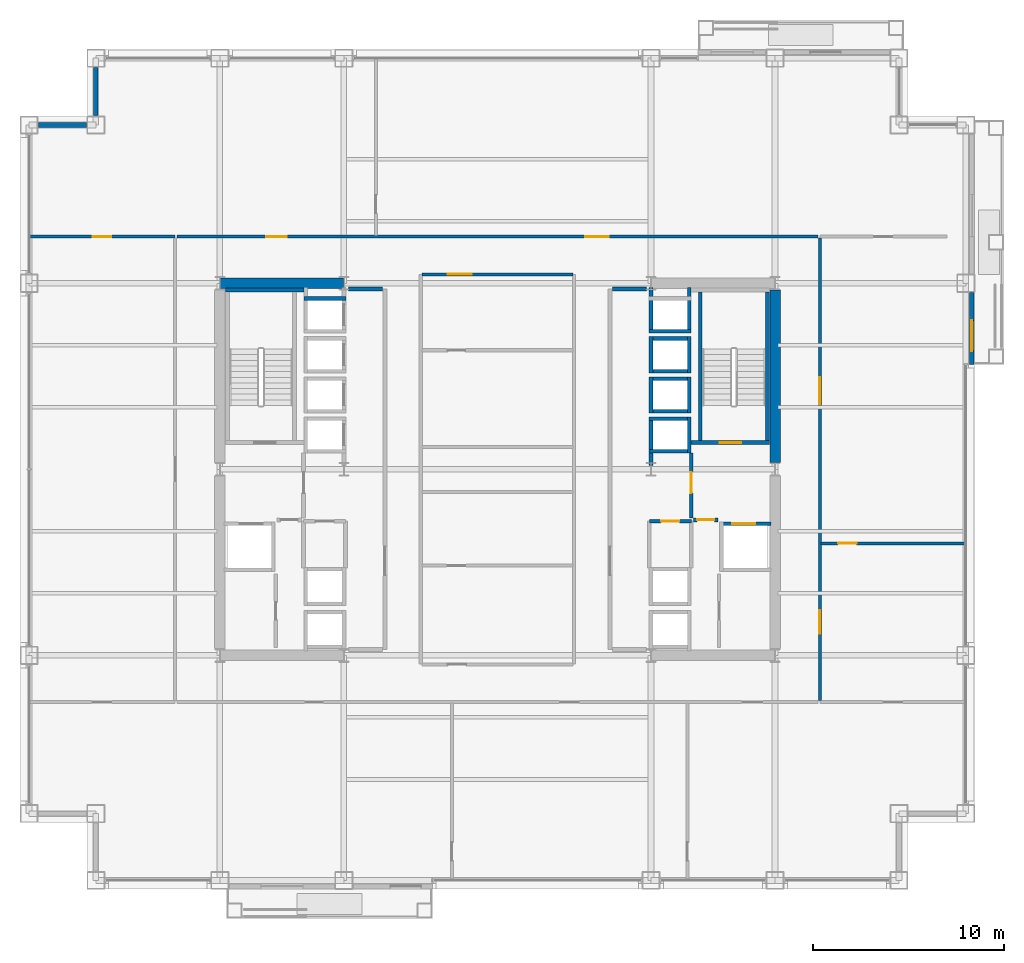
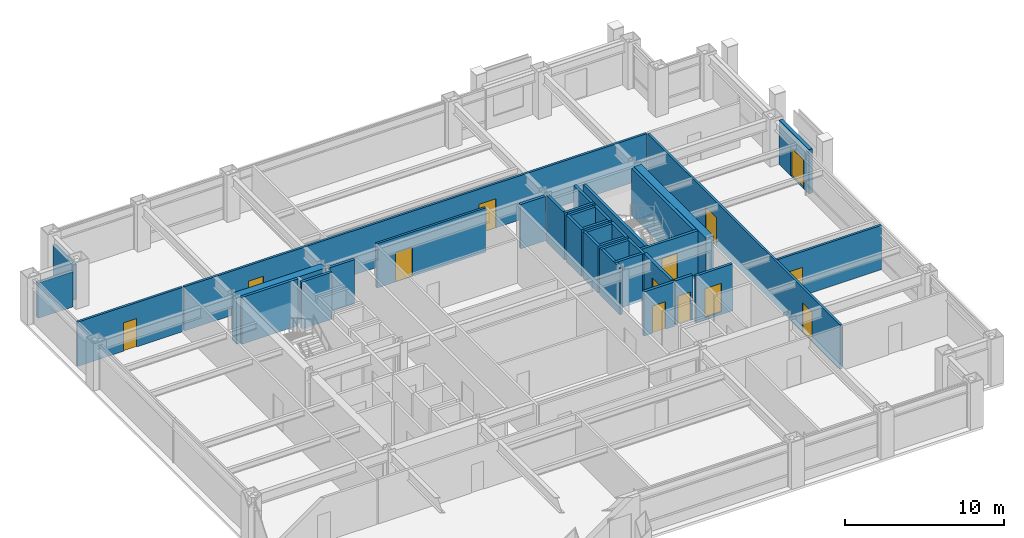
# One storey, part 27 of 31: 36 walls, 13 doors, 13 openings.
"""IFC4 building model written with IfcOpenShell, lengths in metres."""

from ifc_helpers import new_model, si_unit, direction, frame, frame_2d, origin, place, context, subcontext, project, spatial, rectangle, extrude, material, layer, layer_set, type_object, element, fill, save


model = new_model("IFC4")

# Units and contexts
model_context = context("Model", 3, precision=1e-05, world=origin(), true_north=direction((0.0, 1.0)))
body_context = subcontext(model_context, "Body", "Model", "MODEL_VIEW")
ifc_project = project(units=[si_unit("LENGTHUNIT", "METRE"), si_unit("AREAUNIT", "SQUARE_METRE"), si_unit("VOLUMEUNIT", "CUBIC_METRE"), si_unit("PLANEANGLEUNIT", "RADIAN"), si_unit("MASSUNIT", "GRAM", prefix="KILO")], contexts=[model_context])

# Site, building, storey
site_placement = place(None, origin())
site = spatial("IfcSite", under=ifc_project, at=site_placement, CompositionType="ELEMENT")
building_placement = place(site_placement, origin())
building = spatial("IfcBuilding", under=site, at=building_placement, Name="Brelmoor Portico Tower", CompositionType="ELEMENT")
storey_placement = place(building_placement, frame((0.0, 0.0, 31.199951171875)))
storey = spatial("IfcBuildingStorey", under=building, at=storey_placement, Name="L07", CompositionType="ELEMENT", Elevation=31.199951171875)

# Walls
ifc_material_1 = material(Name="Concrete C60", Category="concrete")
ifc_layer_1 = layer(ifc_material_1, 0.550048828125)
ifc_layer_set_1 = layer_set([ifc_layer_1], Name="Concrete C60")
wall_type_1 = type_object("IfcWallType", Name="WL-CORE-550", PredefinedType="SHEAR", material=ifc_layer_set_1)
wall_1_placement = place(storey_placement, frame((-14.530029296875, 9.75, -0.199951171875), z_axis=(0.0, 0.0, 1.0), x_axis=(1.0, 0.0, 0.0)))
element("IfcWall", 1, at=wall_1_placement, inside=storey, type_object=wall_type_1, Name="L07 WC North Shear Wall", PredefinedType="SHEAR", context=body_context, shape_type="SweptSolid", body=[
    extrude(rectangle(XDim=6.4599609375, YDim=0.550048828125, at=frame_2d((3.22998046875, 0.0))), origin(), (0.0, 0.0, 1.0), 3.60009765625),
])
wall_2_placement = place(storey_placement, frame((14.550048828125, 0.35009765625, -0.199951171875), z_axis=(0.0, 0.0, 1.0), x_axis=(0.0, 1.0, 0.0)))
element("IfcWall", 2, at=wall_2_placement, inside=storey, type_object=wall_type_1, Name="L07 EC Outer North Shear Wall", PredefinedType="SHEAR", context=body_context, shape_type="SweptSolid", body=[
    extrude(rectangle(XDim=9.0498046875, YDim=0.550048828125, at=frame_2d((4.52490234375, 0.0))), origin(), (0.0, 0.0, 1.0), 3.60009765625),
])

# Wall, opening, door
ifc_material_2 = material(Name="Precast Concrete C40 Insulated Facade Wall", Category="concrete")
ifc_layer_2 = layer(ifc_material_2, 0.25)
ifc_layer_set_2 = layer_set([ifc_layer_2], Name="Precast Concrete C40 Insulated Facade Wall")
wall_type_2 = type_object("IfcWallType", Name="WL-EXT-250", PredefinedType="STANDARD", material=ifc_layer_set_2)
wall_3_placement = place(storey_placement, frame((24.860107421875, 5.5, 0.0), z_axis=(0.0, 0.0, 1.0), x_axis=(0.0, 1.0, 0.0)))
wall_3 = element("IfcWall", 3, at=wall_3_placement, inside=storey, type_object=wall_type_2, Name="L07 Loggia Threshold Wall E-1", PredefinedType="STANDARD", context=body_context, shape_type="SweptSolid", body=[
    extrude(rectangle(XDim=3.7548828125, YDim=0.25, at=frame_2d((1.87744140625, 0.0))), origin(), (0.0, 0.0, 1.0), 3.400146484375),
])
opening_1_placement = place(wall_3_placement, frame((0.699951171875, 0.0, 0.0)))
opening_1 = element("IfcOpeningElement", 4, at=opening_1_placement, cuts=wall_3, Name="Opening D-TB1", PredefinedType="OPENING", context=body_context, shape_type="SweptSolid", body=[
    extrude(rectangle(XDim=1.60009765625, YDim=2.199951171875, at=frame_2d((0.800048828125, 1.10009765625))), frame((0.0, 0.135009765625, 0.0), z_axis=(0.0, -1.0, 0.0), x_axis=(1.0, 0.0, 0.0)), (0.0, 0.0, 1.0), 0.27001953125),
])
ifc_material_3 = material(Name="Double-Leaf Thermally Broken Terrace Door", Category="aluminium")
door_type_1 = type_object("IfcDoorType", Name="DR-BALCONY-1600", OperationType="NOTDEFINED", PredefinedType="DOOR", material=ifc_material_3)
door_1_placement = place(opening_1_placement, origin())
door_1 = element("IfcDoor", 5, at=door_1_placement, inside=storey, type_object=door_type_1, Name="D-0335 L07 Tree Balcony Double Door E", OperationType="DOUBLE_DOOR_SINGLE_SWING", OverallHeight=2.199951171875, OverallWidth=1.60009765625, PredefinedType="DOOR", context=body_context, shape_type="SweptSolid", body=[
    extrude(rectangle(XDim=1.60009765625, YDim=2.199951171875, at=frame_2d((0.800048828125, 1.10009765625))), frame((0.0, 0.02490234375, 0.0), z_axis=(0.0, -1.0, 0.0), x_axis=(1.0, 0.0, 0.0)), (0.0, 0.0, 1.0), 0.050048828125),
])
fill(opening_1, door_1)

# Walls
for number, where, z_axis, x_axis, name in (
    (6, (-24.06494140625, 18.050048828125, 0.0), (0.0, 0.0, 1.0), (1.0, 0.0, 0.0), "L07 Corner Notch Facade Wall NNWH1"),
    (7, (-21.050048828125, 18.534912109375, 0.0), (0.0, 0.0, 1.0), (0.0, 1.0, 0.0), "L07 Corner Notch Facade Wall NNWV1"),
):
    element("IfcWall", number, at=place(storey_placement, frame(where, z_axis=z_axis, x_axis=x_axis)), inside=storey, type_object=wall_type_2, Name=name, PredefinedType="STANDARD", context=body_context, shape_type="SweptSolid", body=[
        extrude(rectangle(XDim=2.530029296875, YDim=0.25, at=frame_2d((1.26513671875, 0.0))), origin(), (0.0, 0.0, 1.0), 2.699951171875),
    ])

# Wall, opening, door
ifc_material_4 = material(Name="Twin-Frame Acoustic Partition", Category="gypsum")
ifc_layer_3 = layer(ifc_material_4, 0.159912109375)
ifc_layer_set_3 = layer_set([ifc_layer_3], Name="Twin-Frame Acoustic Partition")
wall_type_3 = type_object("IfcWallType", Name="WL-PART-160", PredefinedType="PARTITIONING", material=ifc_layer_set_3)
wall_4_placement = place(storey_placement, frame((-3.949951171875, 10.219970703125, 0.0), z_axis=(0.0, 0.0, 1.0), x_axis=(1.0, 0.0, 0.0)))
wall_4 = element("IfcWall", 8, at=wall_4_placement, inside=storey, type_object=wall_type_3, Name="L07 Central Meeting Corridor Wall", PredefinedType="PARTITIONING", context=body_context, shape_type="SweptSolid", body=[
    extrude(rectangle(XDim=7.89990234375, YDim=0.159912109375, at=frame_2d((3.949951171875, 0.0))), origin(), (0.0, 0.0, 1.0), 3.400146484375),
])
opening_2_placement = place(wall_4_placement, frame((1.35009765625, 0.0, 0.0)))
opening_2 = element("IfcOpeningElement", 9, at=opening_2_placement, cuts=wall_4, Name="Opening D-SU1", PredefinedType="OPENING", context=body_context, shape_type="SweptSolid", body=[
    extrude(rectangle(XDim=1.239990234375, YDim=2.239990234375, at=frame_2d((0.6201171875, 1.1201171875))), frame((0.0, 0.08984375, 0.0), z_axis=(0.0, -1.0, 0.0), x_axis=(1.0, 0.0, 0.0)), (0.0, 0.0, 1.0), 0.179931640625),
])
ifc_material_5 = material(Name="Glazed Timber Executive Suite Door", Category="wood")
door_type_2 = type_object("IfcDoorType", Name="DR-SUITE-1200", OperationType="NOTDEFINED", PredefinedType="DOOR", material=ifc_material_5)
door_2_placement = place(opening_2_placement, origin())
door_2 = element("IfcDoor", 10, at=door_2_placement, inside=storey, type_object=door_type_2, Name="D-0307 L07 Client Meeting Room Door", OperationType="SINGLE_SWING_RIGHT", OverallHeight=2.239990234375, OverallWidth=1.239990234375, PredefinedType="DOOR", context=body_context, shape_type="SweptSolid", body=[
    extrude(rectangle(XDim=1.239990234375, YDim=2.239990234375, at=frame_2d((0.6201171875, 1.1201171875))), frame((0.0, 0.02490234375, 0.0), z_axis=(0.0, -1.0, 0.0), x_axis=(1.0, 0.0, 0.0)), (0.0, 0.0, 1.0), 0.050048828125),
])
fill(opening_2, door_2)

# Wall, openings, doors
wall_5_placement = place(storey_placement, frame((-16.800048828125, 12.199951171875, 0.0), z_axis=(0.0, 0.0, 1.0), x_axis=(1.0, 0.0, 0.0)))
wall_5 = element("IfcWall", 11, at=wall_5_placement, inside=storey, type_object=wall_type_3, Name="L07 North Corridor Partition", PredefinedType="PARTITIONING", context=body_context, shape_type="SweptSolid", body=[
    extrude(rectangle(XDim=33.60009765625, YDim=0.159912109375, at=frame_2d((16.800048828125, 0.0))), origin(), (0.0, 0.0, 1.0), 3.400146484375),
])
opening_3_placement = place(wall_5_placement, frame((4.684326171875, 0.0, 0.0)))
opening_3 = element("IfcOpeningElement", 12, at=opening_3_placement, cuts=wall_5, Name="Opening D-OF2", PredefinedType="OPENING", context=body_context, shape_type="SweptSolid", body=[
    extrude(rectangle(XDim=1.06005859375, YDim=2.199951171875, at=frame_2d((0.530029296875, 1.10009765625))), frame((0.0, 0.08984375, 0.0), z_axis=(0.0, -1.0, 0.0), x_axis=(1.0, 0.0, 0.0)), (0.0, 0.0, 1.0), 0.179931640625),
])
opening_4_placement = place(wall_5_placement, frame((21.394287109375, 0.0, 0.0)))
opening_4 = element("IfcOpeningElement", 13, at=opening_4_placement, cuts=wall_5, Name="Opening D-SU1", PredefinedType="OPENING", context=body_context, shape_type="SweptSolid", body=[
    extrude(rectangle(XDim=1.239990234375, YDim=2.239990234375, at=frame_2d((0.6201171875, 1.1201171875))), frame((0.0, 0.08984375, 0.0), z_axis=(0.0, -1.0, 0.0), x_axis=(1.0, 0.0, 0.0)), (0.0, 0.0, 1.0), 0.179931640625),
])
ifc_material_6 = material(Name="Hardwood Acoustic Veneer Door", Category="wood")
door_type_3 = type_object("IfcDoorType", Name="DR-OFFICE-1050", OperationType="NOTDEFINED", PredefinedType="DOOR", material=ifc_material_6)
door_3_placement = place(opening_3_placement, origin())
door_3 = element("IfcDoor", 14, at=door_3_placement, inside=storey, type_object=door_type_3, Name="D-0321 L07 North Open-Plan Office Studio 1 Door", OperationType="SINGLE_SWING_LEFT", OverallHeight=2.199951171875, OverallWidth=1.06005859375, PredefinedType="DOOR", context=body_context, shape_type="SweptSolid", body=[
    extrude(rectangle(XDim=1.06005859375, YDim=2.199951171875, at=frame_2d((0.530029296875, 1.10009765625))), frame((0.0, 0.02490234375, 0.0), z_axis=(0.0, -1.0, 0.0), x_axis=(1.0, 0.0, 0.0)), (0.0, 0.0, 1.0), 0.050048828125),
])
fill(opening_3, door_3)
door_4_placement = place(opening_4_placement, origin())
door_4 = element("IfcDoor", 15, at=door_4_placement, inside=storey, type_object=door_type_2, Name="D-0322 L07 North Partner Cellular Office 2 Door", OperationType="SINGLE_SWING_RIGHT", OverallHeight=2.239990234375, OverallWidth=1.239990234375, PredefinedType="DOOR", context=body_context, shape_type="SweptSolid", body=[
    extrude(rectangle(XDim=1.239990234375, YDim=2.239990234375, at=frame_2d((0.6201171875, 1.1201171875))), frame((0.0, 0.02490234375, 0.0), z_axis=(0.0, -1.0, 0.0), x_axis=(1.0, 0.0, 0.0)), (0.0, 0.0, 1.0), 0.050048828125),
])
fill(opening_4, door_4)

# Wall, opening, door
wall_6_placement = place(storey_placement, frame((-24.56005859375, 12.199951171875, 0.0), z_axis=(0.0, 0.0, 1.0), x_axis=(1.0, 0.0, 0.0)))
wall_6 = element("IfcWall", 16, at=wall_6_placement, inside=storey, type_object=wall_type_3, Name="L07 North Outer Closure WL", PredefinedType="PARTITIONING", context=body_context, shape_type="SweptSolid", body=[
    extrude(rectangle(XDim=7.66015625, YDim=0.159912109375, at=frame_2d((3.830078125, 0.0))), origin(), (0.0, 0.0, 1.0), 3.400146484375),
])
opening_5_placement = place(wall_6_placement, frame((3.35009765625, 0.0, 0.0)))
opening_5 = element("IfcOpeningElement", 17, at=opening_5_placement, cuts=wall_6, Name="Opening D-IN2", PredefinedType="OPENING", context=body_context, shape_type="SweptSolid", body=[
    extrude(rectangle(XDim=0.9599609375, YDim=2.179931640625, at=frame_2d((0.47998046875, 1.08984375))), frame((0.0, 0.08984375, 0.0), z_axis=(0.0, -1.0, 0.0), x_axis=(1.0, 0.0, 0.0)), (0.0, 0.0, 1.0), 0.179931640625),
])
ifc_material_7 = material(Name="Lacquered Timber Suite Door", Category="wood")
door_type_4 = type_object("IfcDoorType", Name="DR-INT-950", OperationType="NOTDEFINED", PredefinedType="DOOR", material=ifc_material_7)
door_5_placement = place(opening_5_placement, origin())
door_5 = element("IfcDoor", 18, at=door_5_placement, inside=storey, type_object=door_type_4, Name="D-0325 L07 WL North Corner Suite Door", OperationType="SINGLE_SWING_LEFT", OverallHeight=2.179931640625, OverallWidth=0.9599609375, PredefinedType="DOOR", context=body_context, shape_type="SweptSolid", body=[
    extrude(rectangle(XDim=0.9599609375, YDim=2.179931640625, at=frame_2d((0.47998046875, 1.08984375))), frame((0.0, 0.02490234375, 0.0), z_axis=(0.0, -1.0, 0.0), x_axis=(1.0, 0.0, 0.0)), (0.0, 0.0, 1.0), 0.050048828125),
])
fill(opening_5, door_5)

wall_7_placement = place(storey_placement, frame((16.9599609375, -3.87841796875, 0.0), z_axis=(0.0, 0.0, 1.0), x_axis=(1.0, 0.0, 0.0)))
wall_7 = element("IfcWall", 19, at=wall_7_placement, inside=storey, type_object=wall_type_3, Name="L07 E Wing Partition 1", PredefinedType="PARTITIONING", context=body_context, shape_type="SweptSolid", body=[
    extrude(rectangle(XDim=7.60009765625, YDim=0.159912109375, at=frame_2d((3.800048828125, 0.0))), origin(), (0.0, 0.0, 1.0), 3.400146484375),
])
opening_6_placement = place(wall_7_placement, frame((0.89990234375, 0.0, 0.0)))
opening_6 = element("IfcOpeningElement", 20, at=opening_6_placement, cuts=wall_7, Name="Opening D-IN2", PredefinedType="OPENING", context=body_context, shape_type="SweptSolid", body=[
    extrude(rectangle(XDim=0.9599609375, YDim=2.179931640625, at=frame_2d((0.47998046875, 1.08984375))), frame((0.0, 0.08984375, 0.0), z_axis=(0.0, -1.0, 0.0), x_axis=(1.0, 0.0, 0.0)), (0.0, 0.0, 1.0), 0.179931640625),
])
door_6_placement = place(opening_6_placement, origin())
door_6 = element("IfcDoor", 21, at=door_6_placement, inside=storey, type_object=door_type_4, Name="D-0340 L07 E Wing Suite Connecting Door 1", OperationType="SINGLE_SWING_LEFT", OverallHeight=2.179931640625, OverallWidth=0.9599609375, PredefinedType="DOOR", context=body_context, shape_type="SweptSolid", body=[
    extrude(rectangle(XDim=0.9599609375, YDim=2.179931640625, at=frame_2d((0.47998046875, 1.08984375))), frame((0.0, 0.02490234375, 0.0), z_axis=(0.0, -1.0, 0.0), x_axis=(1.0, 0.0, 0.0)), (0.0, 0.0, 1.0), 0.050048828125),
])
fill(opening_6, door_6)

# Wall, openings, doors
wall_8_placement = place(storey_placement, frame((16.89990234375, -12.1201171875, 0.0), z_axis=(0.0, 0.0, 1.0), x_axis=(0.0, 1.0, 0.0)))
wall_8 = element("IfcWall", 22, at=wall_8_placement, inside=storey, type_object=wall_type_3, Name="L07 E Wing Corridor Wall", PredefinedType="PARTITIONING", context=body_context, shape_type="SweptSolid", body=[
    extrude(rectangle(XDim=24.240234375, YDim=0.159912109375, at=frame_2d((12.1201171875, 0.0))), origin(), (0.0, 0.0, 1.0), 3.400146484375),
])
opening_7_placement = place(wall_8_placement, frame((3.500732421875, 0.0, 0.0)))
opening_7 = element("IfcOpeningElement", 23, at=opening_7_placement, cuts=wall_8, Name="Opening D-SU1", PredefinedType="OPENING", context=body_context, shape_type="SweptSolid", body=[
    extrude(rectangle(XDim=1.239990234375, YDim=2.239990234375, at=frame_2d((0.6201171875, 1.1201171875))), frame((0.0, 0.08984375, 0.0), z_axis=(0.0, -1.0, 0.0), x_axis=(1.0, 0.0, 0.0)), (0.0, 0.0, 1.0), 0.179931640625),
])
opening_8_placement = place(wall_8_placement, frame((15.540771484375, 0.0, 0.0)))
opening_8 = element("IfcOpeningElement", 24, at=opening_8_placement, cuts=wall_8, Name="Opening D-SU2", PredefinedType="OPENING", context=body_context, shape_type="SweptSolid", body=[
    extrude(rectangle(XDim=1.39990234375, YDim=2.199951171875, at=frame_2d((0.699951171875, 1.10009765625))), frame((0.0, 0.08984375, 0.0), z_axis=(0.0, -1.0, 0.0), x_axis=(1.0, 0.0, 0.0)), (0.0, 0.0, 1.0), 0.179931640625),
])
door_7_placement = place(opening_7_placement, origin())
door_7 = element("IfcDoor", 25, at=door_7_placement, inside=storey, type_object=door_type_2, Name="D-0338 L07 E Client Reception Room 1 Door", OperationType="SINGLE_SWING_RIGHT", OverallHeight=2.239990234375, OverallWidth=1.239990234375, PredefinedType="DOOR", context=body_context, shape_type="SweptSolid", body=[
    extrude(rectangle(XDim=1.239990234375, YDim=2.239990234375, at=frame_2d((0.6201171875, 1.1201171875))), frame((0.0, 0.02490234375, 0.0), z_axis=(0.0, -1.0, 0.0), x_axis=(1.0, 0.0, 0.0)), (0.0, 0.0, 1.0), 0.050048828125),
])
fill(opening_7, door_7)
ifc_material_8 = material(Name="Double-Leaf Acoustic Suite Door", Category="timber")
door_type_5 = type_object("IfcDoorType", Name="DR-SUITE-1400", OperationType="NOTDEFINED", PredefinedType="DOOR", material=ifc_material_8)
door_8_placement = place(opening_8_placement, origin())
door_8 = element("IfcDoor", 26, at=door_8_placement, inside=storey, type_object=door_type_5, Name="D-0339 L07 E Technical Archive Store 2 Door", OperationType="DOUBLE_DOOR_SINGLE_SWING", OverallHeight=2.199951171875, OverallWidth=1.39990234375, PredefinedType="DOOR", context=body_context, shape_type="SweptSolid", body=[
    extrude(rectangle(XDim=1.39990234375, YDim=2.199951171875, at=frame_2d((0.699951171875, 1.10009765625))), frame((0.0, 0.02490234375, 0.0), z_axis=(0.0, -1.0, 0.0), x_axis=(1.0, 0.0, 0.0)), (0.0, 0.0, 1.0), 0.050048828125),
])
fill(opening_8, door_8)

# Walls
ifc_material_9 = material(Name="Double-Stud Gypsum Fire Partition", Category="gypsum")
ifc_layer_4 = layer(ifc_material_9, 0.199951171875)
ifc_layer_set_4 = layer_set([ifc_layer_4], Name="Double-Stud Gypsum Fire Partition")
wall_type_4 = type_object("IfcWallType", Name="WL-PART-200", PredefinedType="PARTITIONING", material=ifc_layer_set_4)
for number, where, z_axis, x_axis, name in (
    (27, (-6.02001953125, 9.449951171875, 0.0), (0.0, 0.0, 1.0), (-1.0, 0.0, 0.0), "L07 W Lift Lobby North End Wall"),
    (28, (6.02001953125, 9.449951171875, 0.0), (0.0, 0.0, 1.0), (1.0, 0.0, 0.0), "L07 E Lift Lobby North End Wall"),
):
    element("IfcWall", number, at=place(storey_placement, frame(where, z_axis=z_axis, x_axis=x_axis)), inside=storey, type_object=wall_type_4, Name=name, PredefinedType="PARTITIONING", context=body_context, shape_type="SweptSolid", body=[
        extrude(rectangle(XDim=1.800048828125, YDim=0.199951171875, at=frame_2d((0.89990234375, 0.0))), origin(), (0.0, 0.0, 1.0), 3.400146484375),
    ])

# Wall, opening, door
wall_9_placement = place(storey_placement, frame((10.159912109375, -2.550048828125, 0.0), z_axis=(0.0, 0.0, 1.0), x_axis=(0.0, 1.0, 0.0)))
wall_9 = element("IfcWall", 29, at=wall_9_placement, inside=storey, type_object=wall_type_4, Name="L07 E Firefighting Lobby Wall", PredefinedType="PARTITIONING", context=body_context, shape_type="SweptSolid", body=[
    extrude(rectangle(XDim=3.400146484375, YDim=0.199951171875, at=frame_2d((1.7001953125, 0.0))), origin(), (0.0, 0.0, 1.0), 3.400146484375),
])
opening_9_placement = place(wall_9_placement, frame((1.300048828125, 0.0, 0.0)))
opening_9 = element("IfcOpeningElement", 30, at=opening_9_placement, cuts=wall_9, Name="Opening D-FR1", PredefinedType="OPENING", context=body_context, shape_type="SweptSolid", body=[
    extrude(rectangle(XDim=1.10009765625, YDim=2.14990234375, at=frame_2d((0.550048828125, 1.074951171875))), frame((0.0, 0.10986328125, 0.0), z_axis=(0.0, -1.0, 0.0), x_axis=(1.0, 0.0, 0.0)), (0.0, 0.0, 1.0), 0.219970703125),
])
ifc_material_10 = material(Name="Painted Galvanised Steel Fire Door", Category="steel")
door_type_6 = type_object("IfcDoorType", Name="DR-FIRE-1100", OperationType="NOTDEFINED", PredefinedType="DOOR", material=ifc_material_10)
door_9_placement = place(opening_9_placement, origin())
door_9 = element("IfcDoor", 31, at=door_9_placement, inside=storey, type_object=door_type_6, Name="D-0317 L07 E Firefighting Lobby Door", OperationType="SINGLE_SWING_RIGHT", OverallHeight=2.14990234375, OverallWidth=1.10009765625, PredefinedType="DOOR", context=body_context, shape_type="SweptSolid", body=[
    extrude(rectangle(XDim=1.10009765625, YDim=2.14990234375, at=frame_2d((0.550048828125, 1.074951171875))), frame((0.0, 0.02490234375, 0.0), z_axis=(0.0, -1.0, 0.0), x_axis=(1.0, 0.0, 0.0)), (0.0, 0.0, 1.0), 0.050048828125),
])
fill(opening_9, door_9)

wall_10_placement = place(storey_placement, frame((10.280029296875, -2.64990234375, 0.0), z_axis=(0.0, 0.0, 1.0), x_axis=(1.0, 0.0, 0.0)))
wall_10 = element("IfcWall", 32, at=wall_10_placement, inside=storey, type_object=wall_type_4, Name="L07 E Firefighting Lobby South Wall", PredefinedType="PARTITIONING", context=body_context, shape_type="SweptSolid", body=[
    extrude(rectangle(XDim=1.27001953125, YDim=0.199951171875, at=frame_2d((0.635009765625, 0.0))), origin(), (0.0, 0.0, 1.0), 3.400146484375),
])
opening_10_placement = place(wall_10_placement, frame((0.18505859375, 0.0, 0.0)))
opening_10 = element("IfcOpeningElement", 33, at=opening_10_placement, cuts=wall_10, Name="Opening D-IN1", PredefinedType="OPENING", context=body_context, shape_type="SweptSolid", body=[
    extrude(rectangle(XDim=0.89990234375, YDim=2.14990234375, at=frame_2d((0.449951171875, 1.074951171875))), frame((0.0, 0.10986328125, 0.0), z_axis=(0.0, -1.0, 0.0), x_axis=(1.0, 0.0, 0.0)), (0.0, 0.0, 1.0), 0.219970703125),
])
door_type_7 = type_object("IfcDoorType", Name="DR-INT-900", OperationType="NOTDEFINED", PredefinedType="DOOR", material=ifc_material_7)
door_10_placement = place(opening_10_placement, origin())
door_10 = element("IfcDoor", 34, at=door_10_placement, inside=storey, type_object=door_type_7, Name="D-0312 L07 E Core Service Vestibule Door", OperationType="SINGLE_SWING_LEFT", OverallHeight=2.14990234375, OverallWidth=0.89990234375, PredefinedType="DOOR", context=body_context, shape_type="SweptSolid", body=[
    extrude(rectangle(XDim=0.89990234375, YDim=2.14990234375, at=frame_2d((0.449951171875, 1.074951171875))), frame((0.0, 0.02490234375, 0.0), z_axis=(0.0, -1.0, 0.0), x_axis=(1.0, 0.0, 0.0)), (0.0, 0.0, 1.0), 0.050048828125),
])
fill(opening_10, door_10)

wall_11_placement = place(storey_placement, frame((7.9599609375, -2.719970703125, 0.0), z_axis=(0.0, 0.0, 1.0), x_axis=(1.0, 0.0, 0.0)))
wall_11 = element("IfcWall", 35, at=wall_11_placement, inside=storey, type_object=wall_type_4, Name="L07 E Electrical Switchgear Closet Wall", PredefinedType="PARTITIONING", context=body_context, shape_type="SweptSolid", body=[
    extrude(rectangle(XDim=2.199951171875, YDim=0.199951171875, at=frame_2d((1.10009765625, 0.0))), origin(), (0.0, 0.0, 1.0), 3.400146484375),
])
opening_11_placement = place(wall_11_placement, frame((0.6201171875, 0.0, 0.0)))
opening_11 = element("IfcOpeningElement", 36, at=opening_11_placement, cuts=wall_11, Name="Opening D-FR4", PredefinedType="OPENING", context=body_context, shape_type="SweptSolid", body=[
    extrude(rectangle(XDim=0.949951171875, YDim=2.10009765625, at=frame_2d((0.47509765625, 1.050048828125))), frame((0.0, 0.10986328125, 0.0), z_axis=(0.0, -1.0, 0.0), x_axis=(1.0, 0.0, 0.0)), (0.0, 0.0, 1.0), 0.219970703125),
])
ifc_material_11 = material(Name="Painted Galvanised Steel Riser Door", Category="steel")
door_type_8 = type_object("IfcDoorType", Name="DR-FIRE-950", OperationType="NOTDEFINED", PredefinedType="DOOR", material=ifc_material_11)
door_11_placement = place(opening_11_placement, origin())
door_11 = element("IfcDoor", 37, at=door_11_placement, inside=storey, type_object=door_type_8, Name="D-0315 L07 E Electrical Switchgear Closet Door", OperationType="SINGLE_SWING_RIGHT", OverallHeight=2.10009765625, OverallWidth=0.949951171875, PredefinedType="DOOR", context=body_context, shape_type="SweptSolid", body=[
    extrude(rectangle(XDim=0.949951171875, YDim=2.10009765625, at=frame_2d((0.47509765625, 1.050048828125))), frame((0.0, 0.02490234375, 0.0), z_axis=(0.0, -1.0, 0.0), x_axis=(1.0, 0.0, 0.0)), (0.0, 0.0, 1.0), 0.050048828125),
])
fill(opening_11, door_11)

# Walls
ifc_material_12 = material(Name="Precast Concrete C40", Category="concrete")
ifc_layer_5 = layer(ifc_material_12, 0.18994140625)
ifc_layer_set_5 = layer_set([ifc_layer_5], Name="Precast Concrete C40")
wall_type_5 = type_object("IfcWallType", Name="WL-SHAFT-180", PredefinedType="SOLIDWALL", material=ifc_layer_set_5)
wall_12_placement = place(storey_placement, frame((-10.14990234375, 8.955078125, -0.199951171875), z_axis=(0.0, 0.0, 1.0), x_axis=(1.0, 0.0, 0.0)))
element("IfcWall", 38, at=wall_12_placement, inside=storey, type_object=wall_type_5, Name="L07 Lift PL4 Hoistway North Wall", PredefinedType="SOLIDWALL", context=body_context, shape_type="SweptSolid", body=[
    extrude(rectangle(XDim=2.199951171875, YDim=0.18994140625, at=frame_2d((1.10009765625, 0.0))), origin(), (0.0, 0.0, 1.0), 3.60009765625),
])
wall_13_placement = place(storey_placement, frame((8.044921875, 0.2099609375, -0.199951171875), z_axis=(0.0, 0.0, 1.0), x_axis=(0.0, 1.0, 0.0)))
element("IfcWall", 39, at=wall_13_placement, inside=storey, type_object=wall_type_5, Name="L07 Lift PM1 Hoistway Front Wall", PredefinedType="SOLIDWALL", context=body_context, shape_type="SweptSolid", body=[
    extrude(rectangle(XDim=2.5400390625, YDim=0.18994140625, at=frame_2d((1.27001953125, 0.0))), origin(), (0.0, 0.0, 1.0), 3.60009765625),
])
wall_14_placement = place(storey_placement, frame((10.054931640625, 0.85009765625, -0.199951171875), z_axis=(0.0, 0.0, 1.0), x_axis=(0.0, 1.0, 0.0)))
element("IfcWall", 40, at=wall_14_placement, inside=storey, type_object=wall_type_5, Name="L07 Lift PM1 Hoistway Back Wall", PredefinedType="SOLIDWALL", context=body_context, shape_type="SweptSolid", body=[
    extrude(rectangle(XDim=1.89990234375, YDim=0.18994140625, at=frame_2d((0.949951171875, 0.0))), origin(), (0.0, 0.0, 1.0), 3.60009765625),
])
for number, where, z_axis, x_axis, name in (
    (41, (7.949951171875, 2.655029296875, -0.199951171875), (0.0, 0.0, 1.0), (1.0, 0.0, 0.0), "L07 Lift PM1 Hoistway North Wall"),
    (42, (7.949951171875, 0.945068359375, -0.199951171875), (0.0, 0.0, 1.0), (1.0, 0.0, 0.0), "L07 Lift PM1 Hoistway South Wall"),
):
    element("IfcWall", number, at=place(storey_placement, frame(where, z_axis=z_axis, x_axis=x_axis)), inside=storey, type_object=wall_type_5, Name=name, PredefinedType="SOLIDWALL", context=body_context, shape_type="SweptSolid", body=[
        extrude(rectangle(XDim=2.199951171875, YDim=0.18994140625, at=frame_2d((1.10009765625, 0.0))), origin(), (0.0, 0.0, 1.0), 3.60009765625),
    ])
for number, where, z_axis, x_axis, name in (
    (43, (8.044921875, 2.949951171875, -0.199951171875), (0.0, 0.0, 1.0), (0.0, 1.0, 0.0), "L07 Lift PM2 Hoistway Front Wall"),
    (44, (10.054931640625, 2.949951171875, -0.199951171875), (0.0, 0.0, 1.0), (0.0, 1.0, 0.0), "L07 Lift PM2 Hoistway Back Wall"),
):
    element("IfcWall", number, at=place(storey_placement, frame(where, z_axis=z_axis, x_axis=x_axis)), inside=storey, type_object=wall_type_5, Name=name, PredefinedType="SOLIDWALL", context=body_context, shape_type="SweptSolid", body=[
        extrude(rectangle(XDim=1.900146484375, YDim=0.18994140625, at=frame_2d((0.9501953125, 0.0))), origin(), (0.0, 0.0, 1.0), 3.60009765625),
    ])
for number, where, z_axis, x_axis, name in (
    (45, (7.949951171875, 4.7548828125, -0.199951171875), (0.0, 0.0, 1.0), (1.0, 0.0, 0.0), "L07 Lift PM2 Hoistway North Wall"),
    (46, (7.949951171875, 3.044921875, -0.199951171875), (0.0, 0.0, 1.0), (1.0, 0.0, 0.0), "L07 Lift PM2 Hoistway South Wall"),
):
    element("IfcWall", number, at=place(storey_placement, frame(where, z_axis=z_axis, x_axis=x_axis)), inside=storey, type_object=wall_type_5, Name=name, PredefinedType="SOLIDWALL", context=body_context, shape_type="SweptSolid", body=[
        extrude(rectangle(XDim=2.199951171875, YDim=0.18994140625, at=frame_2d((1.10009765625, 0.0))), origin(), (0.0, 0.0, 1.0), 3.60009765625),
    ])
for number, where, z_axis, x_axis, name in (
    (47, (8.044921875, 5.050048828125, -0.199951171875), (0.0, 0.0, 1.0), (0.0, 1.0, 0.0), "L07 Lift PM3 Hoistway Front Wall"),
    (48, (10.054931640625, 5.050048828125, -0.199951171875), (0.0, 0.0, 1.0), (0.0, 1.0, 0.0), "L07 Lift PM3 Hoistway Back Wall"),
):
    element("IfcWall", number, at=place(storey_placement, frame(where, z_axis=z_axis, x_axis=x_axis)), inside=storey, type_object=wall_type_5, Name=name, PredefinedType="SOLIDWALL", context=body_context, shape_type="SweptSolid", body=[
        extrude(rectangle(XDim=1.89990234375, YDim=0.18994140625, at=frame_2d((0.949951171875, 0.0))), origin(), (0.0, 0.0, 1.0), 3.60009765625),
    ])
for number, where, z_axis, x_axis, name in (
    (49, (7.949951171875, 6.85498046875, -0.199951171875), (0.0, 0.0, 1.0), (1.0, 0.0, 0.0), "L07 Lift PM3 Hoistway North Wall"),
    (50, (7.949951171875, 5.14501953125, -0.199951171875), (0.0, 0.0, 1.0), (1.0, 0.0, 0.0), "L07 Lift PM3 Hoistway South Wall"),
):
    element("IfcWall", number, at=place(storey_placement, frame(where, z_axis=z_axis, x_axis=x_axis)), inside=storey, type_object=wall_type_5, Name=name, PredefinedType="SOLIDWALL", context=body_context, shape_type="SweptSolid", body=[
        extrude(rectangle(XDim=2.199951171875, YDim=0.18994140625, at=frame_2d((1.10009765625, 0.0))), origin(), (0.0, 0.0, 1.0), 3.60009765625),
    ])
for number, where, z_axis, x_axis, name in (
    (51, (8.044921875, 7.14990234375, -0.199951171875), (0.0, 0.0, 1.0), (0.0, 1.0, 0.0), "L07 Lift PM4 Hoistway Front Wall"),
    (52, (10.054931640625, 7.14990234375, -0.199951171875), (0.0, 0.0, 1.0), (0.0, 1.0, 0.0), "L07 Lift PM4 Hoistway Back Wall"),
):
    element("IfcWall", number, at=place(storey_placement, frame(where, z_axis=z_axis, x_axis=x_axis)), inside=storey, type_object=wall_type_5, Name=name, PredefinedType="SOLIDWALL", context=body_context, shape_type="SweptSolid", body=[
        extrude(rectangle(XDim=2.3701171875, YDim=0.18994140625, at=frame_2d((1.18505859375, 0.0))), origin(), (0.0, 0.0, 1.0), 3.60009765625),
    ])
wall_15_placement = place(storey_placement, frame((7.949951171875, 7.2451171875, -0.199951171875), z_axis=(0.0, 0.0, 1.0), x_axis=(1.0, 0.0, 0.0)))
element("IfcWall", 53, at=wall_15_placement, inside=storey, type_object=wall_type_5, Name="L07 Lift PM4 Hoistway South Wall", PredefinedType="SOLIDWALL", context=body_context, shape_type="SweptSolid", body=[
    extrude(rectangle(XDim=2.199951171875, YDim=0.18994140625, at=frame_2d((1.10009765625, 0.0))), origin(), (0.0, 0.0, 1.0), 3.60009765625),
])

# Wall, opening, door
wall_16_placement = place(storey_placement, frame((11.64990234375, -2.844970703125, -0.199951171875), z_axis=(0.0, 0.0, 1.0), x_axis=(1.0, 0.0, 0.0)))
wall_16 = element("IfcWall", 54, at=wall_16_placement, inside=storey, type_object=wall_type_5, Name="L07 Lift FF2 Hoistway Front Wall", PredefinedType="SOLIDWALL", context=body_context, shape_type="SweptSolid", body=[
    extrude(rectangle(XDim=2.68017578125, YDim=0.18994140625, at=frame_2d((1.340087890625, 0.0))), origin(), (0.0, 0.0, 1.0), 3.60009765625),
])
opening_12_placement = place(wall_16_placement, frame((0.64990234375, 0.0, 0.199951171875)))
opening_12 = element("IfcOpeningElement", 55, at=opening_12_placement, cuts=wall_16, Name="Opening LD-02", PredefinedType="OPENING", context=body_context, shape_type="SweptSolid", body=[
    extrude(rectangle(XDim=1.199951171875, YDim=2.199951171875, at=frame_2d((0.60009765625, 1.10009765625))), frame((0.0, 0.10498046875, 0.0), z_axis=(0.0, -1.0, 0.0), x_axis=(1.0, 0.0, 0.0)), (0.0, 0.0, 1.0), 0.2099609375),
])
ifc_material_13 = material(Name="Brushed Stainless Steel Firefighting Lift Door", Category="steel")
door_type_9 = type_object("IfcDoorType", Name="DR-LIFT-1200", OperationType="NOTDEFINED", PredefinedType="DOOR", material=ifc_material_13)
door_12_placement = place(opening_12_placement, origin())
door_12 = element("IfcDoor", 56, at=door_12_placement, inside=storey, type_object=door_type_9, Name="D-0343 L07 Lift FF2 Sliding Landing Door", OperationType="SLIDING_TO_LEFT", OverallHeight=2.199951171875, OverallWidth=1.199951171875, PredefinedType="DOOR", context=body_context, shape_type="SweptSolid", body=[
    extrude(rectangle(XDim=1.199951171875, YDim=2.199951171875, at=frame_2d((0.60009765625, 1.10009765625))), frame((0.0, 0.02490234375, 0.0), z_axis=(0.0, -1.0, 0.0), x_axis=(1.0, 0.0, 0.0)), (0.0, 0.0, 1.0), 0.050048828125),
])
fill(opening_12, door_12)

# Walls
ifc_material_14 = material(Name="Concrete C40", Category="concrete")
ifc_layer_6 = layer(ifc_material_14, 0.199951171875)
ifc_layer_set_6 = layer_set([ifc_layer_6], Name="Concrete C40")
wall_type_6 = type_object("IfcWallType", Name="WL-SHAFT-RC200", PredefinedType="SOLIDWALL", material=ifc_layer_set_6)
wall_17_placement = place(storey_placement, frame((14.14990234375, 1.5, -0.199951171875), z_axis=(0.0, 0.0, 1.0), x_axis=(0.0, 1.0, 0.0)))
element("IfcWall", 57, at=wall_17_placement, inside=storey, type_object=wall_type_6, Name="L07 ST-E Structural Stair Wall Outer", PredefinedType="SOLIDWALL", context=body_context, shape_type="SweptSolid", body=[
    extrude(rectangle(XDim=7.800048828125, YDim=0.199951171875, at=frame_2d((3.89990234375, 0.0))), origin(), (0.0, 0.0, 1.0), 3.60009765625),
])
wall_18_placement = place(storey_placement, frame((-14.25, 9.39990234375, -0.199951171875), z_axis=(0.0, 0.0, 1.0), x_axis=(1.0, 0.0, 0.0)))
element("IfcWall", 58, at=wall_18_placement, inside=storey, type_object=wall_type_6, Name="L07 ST-W Structural Stair Wall N", PredefinedType="SOLIDWALL", context=body_context, shape_type="SweptSolid", body=[
    extrude(rectangle(XDim=4.10009765625, YDim=0.199951171875, at=frame_2d((2.050048828125, 0.0))), origin(), (0.0, 0.0, 1.0), 3.60009765625),
])

# Wall, opening, door
wall_19_placement = place(storey_placement, frame((10.14990234375, 1.39990234375, -0.199951171875), z_axis=(0.0, 0.0, 1.0), x_axis=(1.0, 0.0, 0.0)))
wall_19 = element("IfcWall", 59, at=wall_19_placement, inside=storey, type_object=wall_type_6, Name="L07 ST-E Structural Stair Wall S", PredefinedType="SOLIDWALL", context=body_context, shape_type="SweptSolid", body=[
    extrude(rectangle(XDim=4.10009765625, YDim=0.199951171875, at=frame_2d((2.050048828125, 0.0))), origin(), (0.0, 0.0, 1.0), 3.60009765625),
])
opening_13_placement = place(wall_19_placement, frame((1.5, 0.0, 0.199951171875)))
opening_13 = element("IfcOpeningElement", 60, at=opening_13_placement, cuts=wall_19, Name="Opening D-ST1", PredefinedType="OPENING", context=body_context, shape_type="SweptSolid", body=[
    extrude(rectangle(XDim=1.1201171875, YDim=2.179931640625, at=frame_2d((0.56005859375, 1.08984375))), frame((0.0, 0.10986328125, 0.0), z_axis=(0.0, -1.0, 0.0), x_axis=(1.0, 0.0, 0.0)), (0.0, 0.0, 1.0), 0.219970703125),
])
door_type_10 = type_object("IfcDoorType", Name="DR-STAIR-1100", OperationType="NOTDEFINED", PredefinedType="DOOR", material=ifc_material_10)
door_13_placement = place(opening_13_placement, origin())
door_13 = element("IfcDoor", 61, at=door_13_placement, inside=storey, type_object=door_type_10, Name="D-0331 L07 ST-E Protected Exit Stair Door", OperationType="SINGLE_SWING_RIGHT", OverallHeight=2.179931640625, OverallWidth=1.1201171875, PredefinedType="DOOR", context=body_context, shape_type="SweptSolid", body=[
    extrude(rectangle(XDim=1.1201171875, YDim=2.179931640625, at=frame_2d((0.56005859375, 1.08984375))), frame((0.0, 0.02490234375, 0.0), z_axis=(0.0, -1.0, 0.0), x_axis=(1.0, 0.0, 0.0)), (0.0, 0.0, 1.0), 0.050048828125),
])
fill(opening_13, door_13)

# Wall
wall_20_placement = place(storey_placement, frame((10.6298828125, 1.5, -0.199951171875), z_axis=(0.0, 0.0, 1.0), x_axis=(0.0, 1.0, 0.0)))
element("IfcWall", 62, at=wall_20_placement, inside=storey, type_object=wall_type_6, Name="L07 ST-E Structural Stair Wall Inner", PredefinedType="SOLIDWALL", context=body_context, shape_type="SweptSolid", body=[
    extrude(rectangle(XDim=7.800048828125, YDim=0.199951171875, at=frame_2d((3.89990234375, 0.0))), origin(), (0.0, 0.0, 1.0), 3.60009765625),
])

save(model, "model.ifc")
